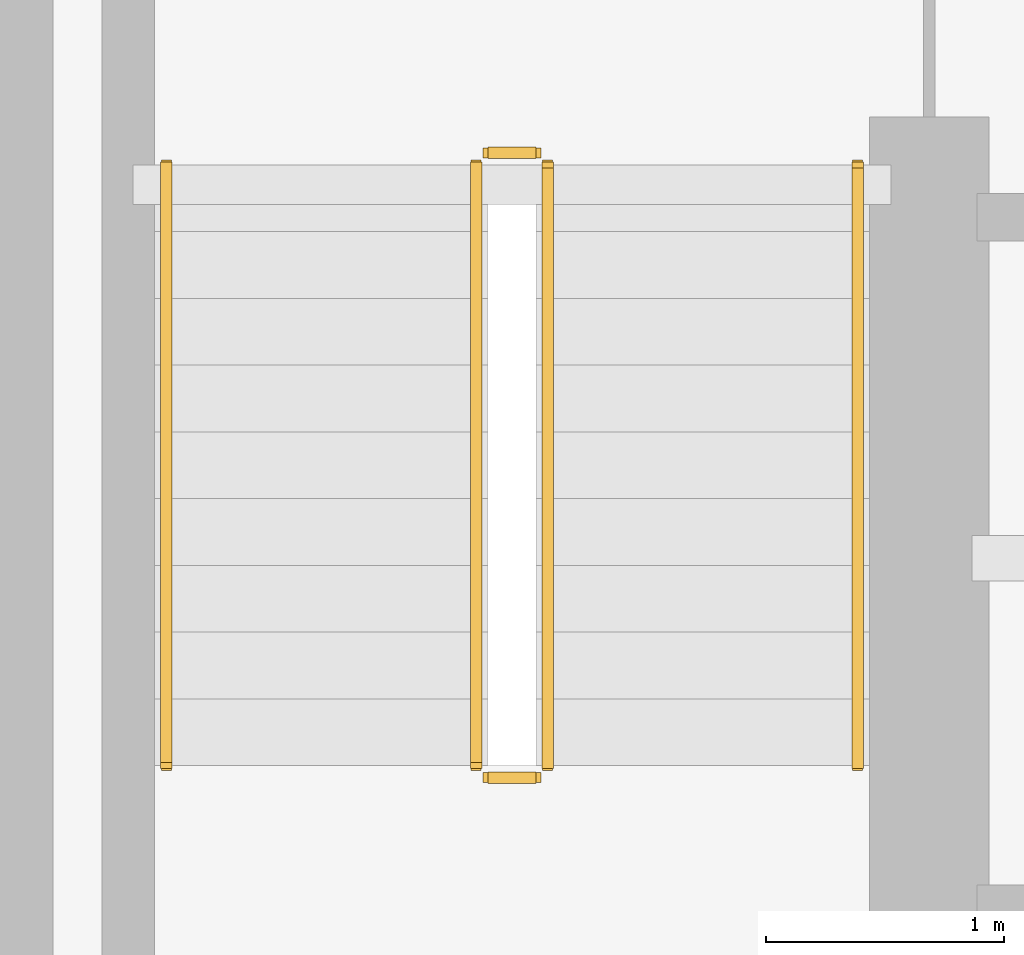
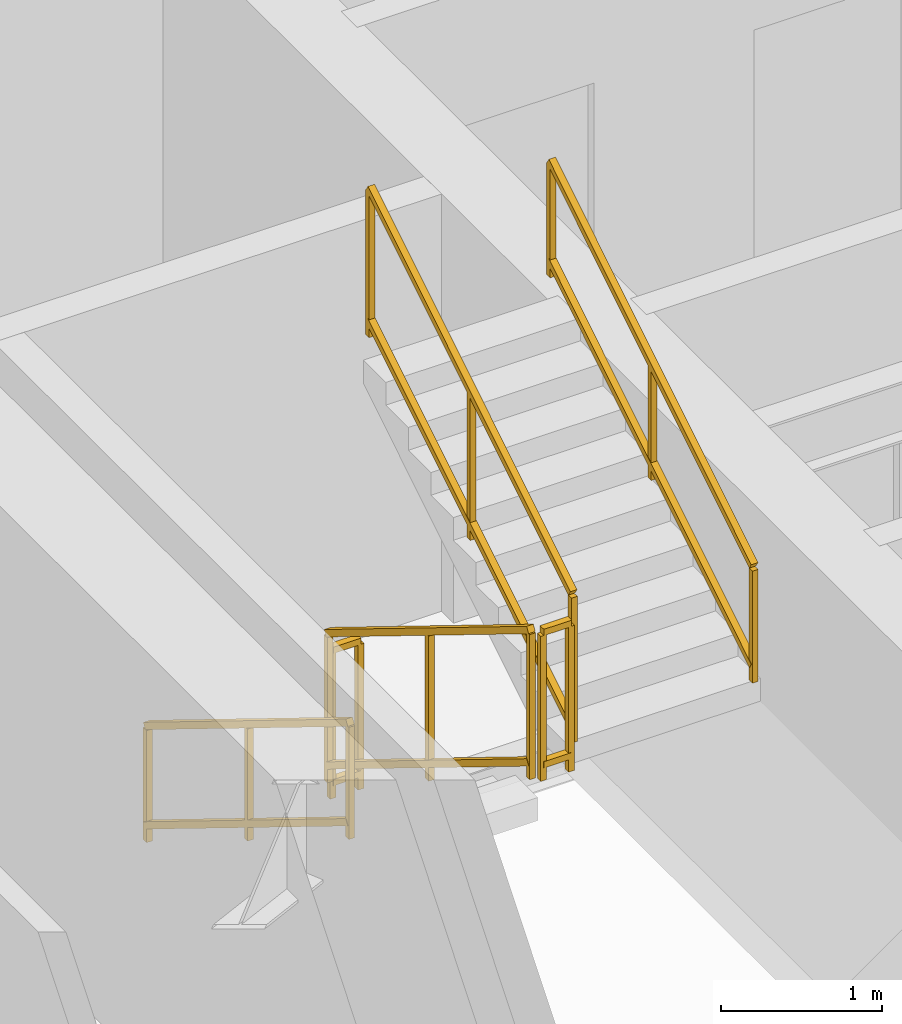
# One storey, part 30 of 33: 6 railings.
"""IFC4 building model written with IfcOpenShell, lengths in metres."""

from ifc_helpers import new_model, si_unit, direction, frame, origin, origin_2d, place, context, subcontext, project, spatial, rectangle, extrude, material, type_object, element, save


model = new_model("IFC4")

# Units and contexts
model_context = context("Model", 3, precision=1e-05, world=origin(), true_north=direction((0.0, 1.0)))
body_context = subcontext(model_context, "Body", "Model", "MODEL_VIEW")
ifc_project = project(units=[si_unit("LENGTHUNIT", "METRE"), si_unit("AREAUNIT", "SQUARE_METRE"), si_unit("VOLUMEUNIT", "CUBIC_METRE"), si_unit("PLANEANGLEUNIT", "RADIAN"), si_unit("MASSUNIT", "GRAM", prefix="KILO")], contexts=[model_context])

# Site, building, storey
site_placement = place(None, origin())
site = spatial("IfcSite", under=ifc_project, at=site_placement, CompositionType="ELEMENT")
building_placement = place(site_placement, origin())
building = spatial("IfcBuilding", under=site, at=building_placement, Name="Qarnah Convention Tower", CompositionType="ELEMENT")
storey_placement = place(building_placement, frame((0.0, 0.0, 30.449951171875)))
storey = spatial("IfcBuildingStorey", under=building, at=storey_placement, Name="L06", CompositionType="ELEMENT", Elevation=30.449951171875)

# Railings
ifc_material = material(Name="Structural steel S355JR", Category="steel")
railing_type_1 = type_object("IfcRailingType", Name="RL-STAIR-GUARD-1150", PredefinedType="GUARDRAIL", material=ifc_material)
railing_1_placement = place(storey_placement, frame((28.89990234375, 25.300048828125, 0.172607421875)))
element("IfcRailing", 1, at=railing_1_placement, inside=storey, type_object=railing_type_1, Name="L06 ST-1 stair guard 1", PredefinedType="GUARDRAIL", context=body_context, shape_type="SweptSolid", body=[
    extrude(rectangle(XDim=0.048095703125, YDim=0.048095703125, at=origin_2d()), frame((0.0, 0.0, 1.1259765625), z_axis=(0.0, -0.851400495292, 0.524516154772), x_axis=(1.0, 0.0, 0.0)), (0.0, 0.0, 1.0), 2.9599609375),
    extrude(rectangle(XDim=0.048095703125, YDim=0.048095703125, at=origin_2d()), frame((0.0, 0.0, 0.1201171875), z_axis=(0.0, -0.851400495292, 0.524516154772), x_axis=(1.0, 0.0, 0.0)), (0.0, 0.0, 1.0), 2.9599609375),
    extrude(rectangle(XDim=0.0419921875, YDim=0.0419921875, at=origin_2d()), origin(), (0.0, 0.0, 1.0), 1.101806640625),
    extrude(rectangle(XDim=0.0419921875, YDim=0.0419921875, at=origin_2d()), frame((0.0, -1.260009765625, 0.7763671875)), (0.0, 0.0, 1.0), 1.101806640625),
    extrude(rectangle(XDim=0.0419921875, YDim=0.0419921875, at=origin_2d()), frame((0.0, -2.52001953125, 1.552490234375)), (0.0, 0.0, 1.0), 1.101806640625),
])
railing_2_placement = place(storey_placement, frame((28.949951171875, 22.72998046875, 1.72509765625)))
element("IfcRailing", 2, at=railing_2_placement, inside=storey, type_object=railing_type_1, Name="L06 ST-1 stair guard 2", PredefinedType="GUARDRAIL", context=body_context, shape_type="SweptSolid", body=[
    extrude(rectangle(XDim=0.048095703125, YDim=0.048095703125, at=origin_2d()), frame((0.0, 0.0, 1.1259765625), z_axis=(1.0, 0.0, 0.0), x_axis=(0.0, 1.0, 0.0)), (0.0, 0.0, 1.0), 0.199951171875),
    extrude(rectangle(XDim=0.048095703125, YDim=0.048095703125, at=origin_2d()), frame((0.0, 0.0, 0.1201171875), z_axis=(1.0, 0.0, 0.0), x_axis=(0.0, 1.0, 0.0)), (0.0, 0.0, 1.0), 0.199951171875),
    extrude(rectangle(XDim=0.0419921875, YDim=0.0419921875, at=origin_2d()), origin(), (0.0, 0.0, 1.0), 1.101806640625),
    extrude(rectangle(XDim=0.0419921875, YDim=0.0419921875, at=origin_2d()), frame((0.199951171875, 0.0, 0.0)), (0.0, 0.0, 1.0), 1.101806640625),
])
railing_3_placement = place(storey_placement, frame((29.199951171875, 22.780029296875, 1.8974609375)))
element("IfcRailing", 3, at=railing_3_placement, inside=storey, type_object=railing_type_1, Name="L06 ST-1 stair guard 3", PredefinedType="GUARDRAIL", context=body_context, shape_type="SweptSolid", body=[
    extrude(rectangle(XDim=0.048095703125, YDim=0.048095703125, at=origin_2d()), frame((0.0, 0.0, 1.1259765625), z_axis=(0.0, 0.851400495292, 0.524516154772), x_axis=(-1.0, 0.0, 0.0)), (0.0, 0.0, 1.0), 2.9599609375),
    extrude(rectangle(XDim=0.048095703125, YDim=0.048095703125, at=origin_2d()), frame((0.0, 0.0, 0.1201171875), z_axis=(0.0, 0.851400495292, 0.524516154772), x_axis=(-1.0, 0.0, 0.0)), (0.0, 0.0, 1.0), 2.9599609375),
    extrude(rectangle(XDim=0.0419921875, YDim=0.0419921875, at=origin_2d()), origin(), (0.0, 0.0, 1.0), 1.101806640625),
    extrude(rectangle(XDim=0.0419921875, YDim=0.0419921875, at=origin_2d()), frame((0.0, 1.260009765625, 0.7763671875)), (0.0, 0.0, 1.0), 1.101806640625),
    extrude(rectangle(XDim=0.0419921875, YDim=0.0419921875, at=origin_2d()), frame((0.0, 2.52001953125, 1.552490234375)), (0.0, 0.0, 1.0), 1.101806640625),
])
railing_4_placement = place(storey_placement, frame((28.949951171875, 25.35009765625, 0.0)))
element("IfcRailing", 4, at=railing_4_placement, inside=storey, type_object=railing_type_1, Name="L06 ST-1 stair guard 4", PredefinedType="GUARDRAIL", context=body_context, shape_type="SweptSolid", body=[
    extrude(rectangle(XDim=0.048095703125, YDim=0.048095703125, at=origin_2d()), frame((0.0, 0.0, 1.1259765625), z_axis=(1.0, 0.0, 0.0), x_axis=(0.0, 1.0, 0.0)), (0.0, 0.0, 1.0), 0.199951171875),
    extrude(rectangle(XDim=0.048095703125, YDim=0.048095703125, at=origin_2d()), frame((0.0, 0.0, 0.1201171875), z_axis=(1.0, 0.0, 0.0), x_axis=(0.0, 1.0, 0.0)), (0.0, 0.0, 1.0), 0.199951171875),
    extrude(rectangle(XDim=0.0419921875, YDim=0.0419921875, at=origin_2d()), origin(), (0.0, 0.0, 1.0), 1.101806640625),
    extrude(rectangle(XDim=0.0419921875, YDim=0.0419921875, at=origin_2d()), frame((0.199951171875, 0.0, 0.0)), (0.0, 0.0, 1.0), 1.101806640625),
])
railing_type_2 = type_object("IfcRailingType", Name="RL-STAIR-HAND-900", PredefinedType="HANDRAIL", material=ifc_material)
railing_5_placement = place(storey_placement, frame((27.60009765625, 25.300048828125, 0.172607421875)))
element("IfcRailing", 5, at=railing_5_placement, inside=storey, type_object=railing_type_2, Name="L06 ST-1 stair handrail 1", PredefinedType="HANDRAIL", context=body_context, shape_type="SweptSolid", body=[
    extrude(rectangle(XDim=0.048095703125, YDim=0.048095703125, at=origin_2d()), frame((0.0, 0.0, 0.8759765625), z_axis=(0.0, -0.851400495292, 0.524516154772), x_axis=(1.0, 0.0, 0.0)), (0.0, 0.0, 1.0), 2.9599609375),
    extrude(rectangle(XDim=0.048095703125, YDim=0.048095703125, at=origin_2d()), frame((0.0, 0.0, 0.1201171875), z_axis=(0.0, -0.851400495292, 0.524516154772), x_axis=(1.0, 0.0, 0.0)), (0.0, 0.0, 1.0), 2.9599609375),
    extrude(rectangle(XDim=0.0419921875, YDim=0.0419921875, at=origin_2d()), origin(), (0.0, 0.0, 1.0), 0.851806640625),
    extrude(rectangle(XDim=0.0419921875, YDim=0.0419921875, at=origin_2d()), frame((0.0, -1.260009765625, 0.7763671875)), (0.0, 0.0, 1.0), 0.851806640625),
    extrude(rectangle(XDim=0.0419921875, YDim=0.0419921875, at=origin_2d()), frame((0.0, -2.52001953125, 1.552490234375)), (0.0, 0.0, 1.0), 0.851806640625),
])
railing_6_placement = place(storey_placement, frame((30.5, 22.780029296875, 1.8974609375)))
element("IfcRailing", 6, at=railing_6_placement, inside=storey, type_object=railing_type_2, Name="L06 ST-1 stair handrail 2", PredefinedType="HANDRAIL", context=body_context, shape_type="SweptSolid", body=[
    extrude(rectangle(XDim=0.048095703125, YDim=0.048095703125, at=origin_2d()), frame((0.0, 0.0, 0.8759765625), z_axis=(0.0, 0.851400495292, 0.524516154772), x_axis=(-1.0, 0.0, 0.0)), (0.0, 0.0, 1.0), 2.9599609375),
    extrude(rectangle(XDim=0.048095703125, YDim=0.048095703125, at=origin_2d()), frame((0.0, 0.0, 0.1201171875), z_axis=(0.0, 0.851400495292, 0.524516154772), x_axis=(-1.0, 0.0, 0.0)), (0.0, 0.0, 1.0), 2.9599609375),
    extrude(rectangle(XDim=0.0419921875, YDim=0.0419921875, at=origin_2d()), origin(), (0.0, 0.0, 1.0), 0.851806640625),
    extrude(rectangle(XDim=0.0419921875, YDim=0.0419921875, at=origin_2d()), frame((0.0, 1.260009765625, 0.7763671875)), (0.0, 0.0, 1.0), 0.851806640625),
    extrude(rectangle(XDim=0.0419921875, YDim=0.0419921875, at=origin_2d()), frame((0.0, 2.52001953125, 1.552490234375)), (0.0, 0.0, 1.0), 0.851806640625),
])

save(model, "model.ifc")
